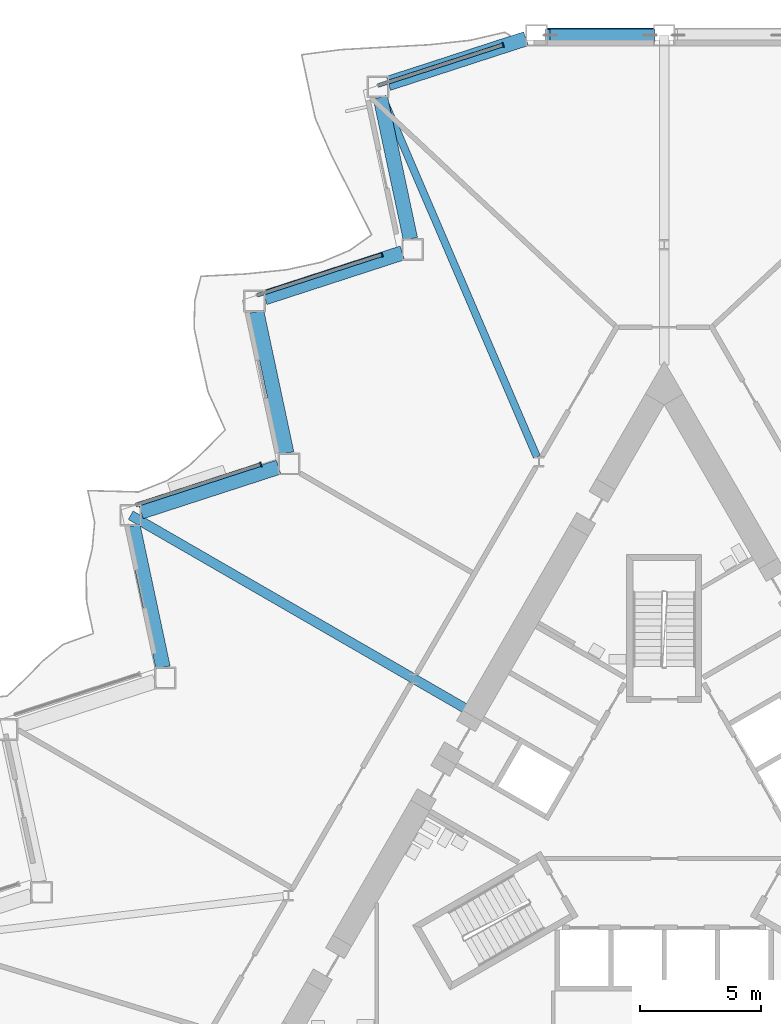
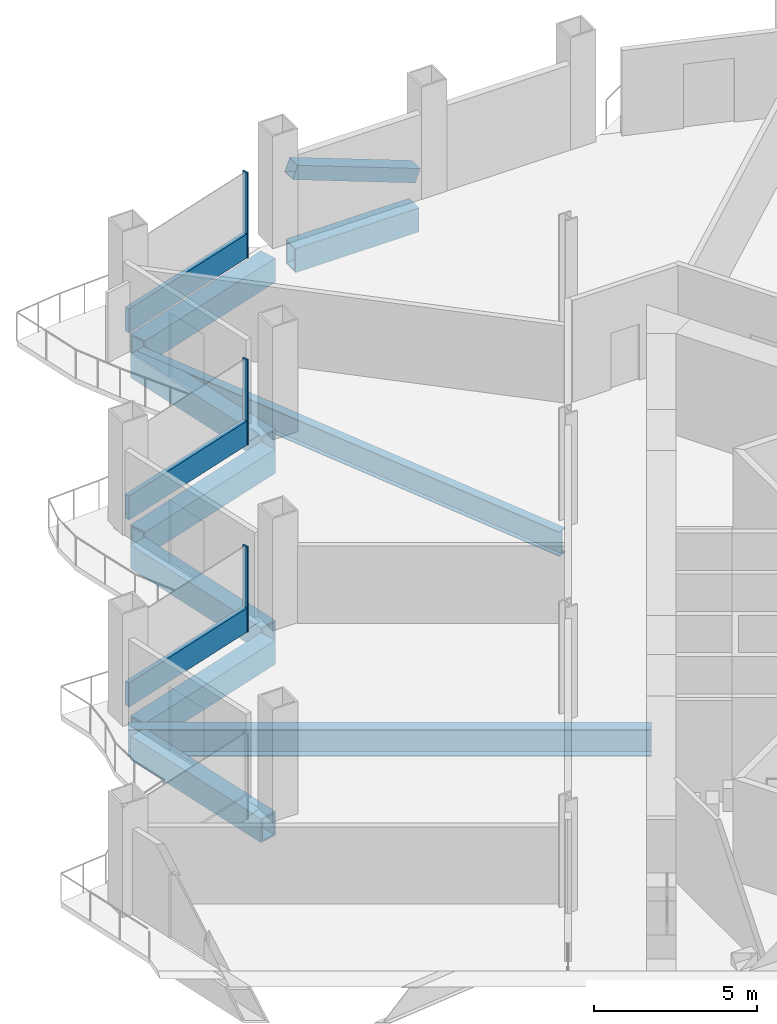
# One storey, part 7 of 21: 8 beams, 8 members, 3 elements without a shape of their own.
"""IFC4 building model written with IfcOpenShell, lengths in metres."""

from ifc_helpers import new_model, si_unit, direction, frame, origin, origin_2d, place, context, subcontext, project, spatial, rectangle, hollow_rectangle, i_section, extrude, material, layer, layer_set, material_profile, profile_set, type_object, element, aggregate, save


model = new_model("IFC4")

# Units and contexts
model_context = context("Model", 3, precision=1e-05, world=origin(), true_north=direction((0.0, 1.0)))
body_context = subcontext(model_context, "Body", "Model", "MODEL_VIEW")
ifc_project = project(units=[si_unit("LENGTHUNIT", "METRE"), si_unit("AREAUNIT", "SQUARE_METRE"), si_unit("VOLUMEUNIT", "CUBIC_METRE"), si_unit("PLANEANGLEUNIT", "RADIAN"), si_unit("MASSUNIT", "GRAM", prefix="KILO")], contexts=[model_context])

# Site, building, storey
site_placement = place(None, origin())
site = spatial("IfcSite", under=ifc_project, at=site_placement, CompositionType="ELEMENT")
building_placement = place(site_placement, origin())
building = spatial("IfcBuilding", under=site, at=building_placement, Name="Cormorant Prow Tower", CompositionType="ELEMENT")
storey_placement = place(building_placement, frame((0.0, 0.0, 99.60009765625)))
storey = spatial("IfcBuildingStorey", under=building, at=storey_placement, Name="L20", CompositionType="ELEMENT", Elevation=99.60009765625)

# Beams
ifc_material_1 = material(Name="Structural steel ASTM A572 Gr 50", Category="steel")
ifc_material_profile_1 = material_profile(ifc_material_1, hollow_rectangle(XDim=0.60009765625, YDim=0.89990234375, WallThickness=0.06005859375, at=origin_2d()), Name="Box 900x600x60")
ifc_profile_set_1 = profile_set([ifc_material_profile_1], Name="Structural steel ASTM A572 Gr 50")
beam_type_1 = type_object("IfcBeamType", Name="Belt truss top chord 900x600x60", PredefinedType="BEAM", material=ifc_profile_set_1)
beam_1_placement = place(storey_placement, frame((-0.449951171875, 32.487060546875, -0.85009765625), z_axis=(-1.0, 0.0, 0.0), x_axis=(0.0, -1.0, 0.0)))
element("IfcBeam", 1, at=beam_1_placement, inside=storey, type_object=beam_type_1, Name="Belt truss top chord TC2 N01-WNW00 L20", PredefinedType="BEAM", context=body_context, shape_type="SweptSolid", body=[
    extrude(hollow_rectangle(XDim=0.60009765625, YDim=0.89990234375, WallThickness=0.06005859375, at=origin_2d()), origin(), (0.0, 0.0, 1.0), 4.36962890625),
])
beam_2_placement = place(storey_placement, frame((-5.69775390625, 32.347900390625, -0.85009765625), z_axis=(-0.951055430656, -0.309020335608, 0.0), x_axis=(0.309020335608, -0.951055430656, 0.0)))
element("IfcBeam", 2, at=beam_2_placement, inside=storey, type_object=beam_type_1, Name="Belt truss top chord TC2 WNW00-WNW01 L20", PredefinedType="BEAM", context=body_context, shape_type="SweptSolid", body=[
    extrude(hollow_rectangle(XDim=0.60009765625, YDim=0.89990234375, WallThickness=0.06005859375, at=origin_2d()), origin(), (0.0, 0.0, 1.0), 5.96240234375),
])
beam_3_placement = place(storey_placement, frame((-11.702880859375, 29.926025390625, -0.85009765625), z_axis=(0.207920947907, -0.978145633033, 0.0), x_axis=(0.978145633033, 0.207920947907, 0.0)))
element("IfcBeam", 3, at=beam_3_placement, inside=storey, type_object=beam_type_1, Name="Belt truss top chord TC2 WNW01-WNW02 L20", PredefinedType="BEAM", context=body_context, shape_type="SweptSolid", body=[
    extrude(hollow_rectangle(XDim=0.60009765625, YDim=0.89990234375, WallThickness=0.06005859375, at=origin_2d()), origin(), (0.0, 0.0, 1.0), 5.962646484375),
])
beam_4_placement = place(storey_placement, frame((-10.797607421875, 23.5146484375, -0.85009765625), z_axis=(-0.95104730696, -0.309045336358, 0.0), x_axis=(0.309045336358, -0.95104730696, 0.0)))
element("IfcBeam", 4, at=beam_4_placement, inside=storey, type_object=beam_type_1, Name="Belt truss top chord TC2 WNW02-WNW03 L20", PredefinedType="BEAM", context=body_context, shape_type="SweptSolid", body=[
    extrude(hollow_rectangle(XDim=0.60009765625, YDim=0.89990234375, WallThickness=0.06005859375, at=origin_2d()), origin(), (0.0, 0.0, 1.0), 5.962890625),
])
for number, where, z_axis, x_axis, name in (
    (5, (-16.802734375, 21.0927734375, -0.85009765625), (0.207920947907, -0.978145633033, 0.0), (0.978145633033, 0.207920947907, 0.0), "Belt truss top chord TC2 WNW03-WNW04 L20"),
    (6, (-15.8974609375, 14.68115234375, -0.85009765625), (-0.951059340519, -0.309008302174, 0.0), (0.309008302174, -0.951059340519, 0.0), "Belt truss top chord TC2 WNW04-WNW05 L20"),
):
    element("IfcBeam", number, at=place(storey_placement, frame(where, z_axis=z_axis, x_axis=x_axis)), inside=storey, type_object=beam_type_1, Name=name, PredefinedType="BEAM", context=body_context, shape_type="SweptSolid", body=[
        extrude(hollow_rectangle(XDim=0.60009765625, YDim=0.89990234375, WallThickness=0.06005859375, at=origin_2d()), origin(), (0.0, 0.0, 1.0), 5.962646484375),
    ])
beam_5_placement = place(storey_placement, frame((-21.90283203125, 12.259521484375, -0.85009765625), z_axis=(0.207912620873, -0.978147403044, 0.0), x_axis=(0.978147403044, 0.207912620873, 0.0)))
element("IfcBeam", 7, at=beam_5_placement, inside=storey, type_object=beam_type_1, Name="Belt truss top chord TC2 WNW05-WNW06 L20", PredefinedType="BEAM", context=body_context, shape_type="SweptSolid", body=[
    extrude(hollow_rectangle(XDim=0.60009765625, YDim=0.89990234375, WallThickness=0.06005859375, at=origin_2d()), origin(), (0.0, 0.0, 1.0), 5.962890625),
])

# Member
ifc_material_2 = material(Name="Structural steel ASTM A500 Gr C", Category="steel")
ifc_material_profile_2 = material_profile(ifc_material_2, hollow_rectangle(XDim=0.508056640625, YDim=0.508056640625, WallThickness=0.014892578125, at=origin_2d()), Name="HSS20x20x5/8")
ifc_profile_set_2 = profile_set([ifc_material_profile_2], Name="Structural steel ASTM A500 Gr C")
member_type_1 = type_object("IfcMemberType", Name="Chamfer brace HSS20x20x5/8", PredefinedType="BRACE", material=ifc_profile_set_2)
member_1_placement = place(storey_placement, frame((-0.4677734375, 32.487060546875, 0.7763671875), z_axis=(-0.935564597435, 0.0, 0.3531556088), x_axis=(0.0, -1.0, 0.0)))
element("IfcMember", 8, at=member_1_placement, inside=storey, type_object=member_type_1, Name="Chamfer brace BR1 at N01 L20", PredefinedType="BRACE", context=body_context, shape_type="SweptSolid", body=[
    extrude(hollow_rectangle(XDim=0.508056640625, YDim=0.508056640625, WallThickness=0.014892578125, at=origin_2d()), origin(), (0.0, 0.0, 1.0), 4.632568359375),
])

# Curtain wall, member
ifc_material_3 = material(Name="Aluminium 6063-T6", Category="aluminium")
ifc_layer = layer(ifc_material_3, 0.199951171875)
ifc_layer_set = layer_set([ifc_layer], Name="Aluminium 6063-T6")
curtain_wall_type = type_object("IfcCurtainWallType", Name="Office unitised curtain wall 200", PredefinedType="NOTDEFINED", material=ifc_layer_set)
curtain_wall_1_placement = place(storey_placement, origin())
curtain_wall_1 = element("IfcCurtainWall", 9, at=curtain_wall_1_placement, inside=storey, type_object=curtain_wall_type, Name="Office curtain wall WNW00", PredefinedType="NOTDEFINED")
ifc_material_4 = material(Name="Aluminium 6063-T6", Category="aluminium")
ifc_material_profile_3 = material_profile(ifc_material_4, rectangle(XDim=0.199951171875, YDim=0.06005859375, at=origin_2d()), Name="Office mullion 60x200")
ifc_profile_set_3 = profile_set([ifc_material_profile_3], Name="Aluminium 6063-T6")
member_type_2 = type_object("IfcMemberType", Name="Office mullion 60x200", PredefinedType="MULLION", material=ifc_profile_set_3)
member_2_placement = place(storey_placement, frame((-6.645751953125, 32.090576171875, 0.0), z_axis=(0.0, 0.0, 1.0), x_axis=(0.309016933855, -0.951056535959, 0.0)))
member_2 = element("IfcMember", 10, at=member_2_placement, type_object=member_type_2, Name="Office mullion WNW00", PredefinedType="MULLION", context=body_context, shape_type="SweptSolid", body=[
    extrude(rectangle(XDim=0.199951171875, YDim=0.06005859375, at=origin_2d()), origin(), (0.0, 0.0, 1.0), 3.188720703125),
])

curtain_wall_2_placement = place(storey_placement, origin())
curtain_wall_2 = element("IfcCurtainWall", 11, at=curtain_wall_2_placement, inside=storey, type_object=curtain_wall_type, Name="Office curtain wall WNW02", PredefinedType="NOTDEFINED")
member_3_placement = place(storey_placement, frame((-11.638427734375, 23.443115234375, 0.0), z_axis=(0.0, 0.0, 1.0), x_axis=(0.309016933855, -0.951056535959, 0.0)))
member_3 = element("IfcMember", 12, at=member_3_placement, type_object=member_type_2, Name="Office mullion WNW02", PredefinedType="MULLION", context=body_context, shape_type="SweptSolid", body=[
    extrude(rectangle(XDim=0.199951171875, YDim=0.06005859375, at=origin_2d()), origin(), (0.0, 0.0, 1.0), 3.188720703125),
])

curtain_wall_3_placement = place(storey_placement, origin())
curtain_wall_3 = element("IfcCurtainWall", 13, at=curtain_wall_3_placement, inside=storey, type_object=curtain_wall_type, Name="Office curtain wall WNW04", PredefinedType="NOTDEFINED")
member_4_placement = place(storey_placement, frame((-16.631103515625, 14.79541015625, 0.0), z_axis=(0.0, 0.0, 1.0), x_axis=(0.309016933855, -0.951056535959, 0.0)))
member_4 = element("IfcMember", 14, at=member_4_placement, type_object=member_type_2, Name="Office mullion WNW04", PredefinedType="MULLION", context=body_context, shape_type="SweptSolid", body=[
    extrude(rectangle(XDim=0.199951171875, YDim=0.06005859375, at=origin_2d()), origin(), (0.0, 0.0, 1.0), 3.188720703125),
])

# Member
ifc_material_5 = material(Name="Terracotta", Category="masonry")
ifc_material_profile_4 = material_profile(ifc_material_5, rectangle(XDim=0.159912109375, YDim=0.89990234375, at=origin_2d()), Name="Office terracotta spandrel rail 160x900")
ifc_profile_set_4 = profile_set([ifc_material_profile_4], Name="Terracotta")
member_type_3 = type_object("IfcMemberType", Name="Office terracotta spandrel rail 160x900", PredefinedType="USERDEFINED", material=ifc_profile_set_4)
member_5_placement = place(storey_placement, frame((-6.674072265625, 32.081298828125, 0.449951171875), z_axis=(-0.951053718729, -0.309025604265, 0.0), x_axis=(0.309025604265, -0.951053718729, 0.0)))
member_5 = element("IfcMember", 15, at=member_5_placement, type_object=member_type_3, Name="Office spandrel rail WNW00", ObjectType="TRANSOM", PredefinedType="USERDEFINED", context=body_context, shape_type="SweptSolid", body=[
    extrude(rectangle(XDim=0.159912109375, YDim=0.89990234375, at=origin_2d()), origin(), (0.0, 0.0, 1.0), 5.386474609375),
])

aggregate(curtain_wall_1, [member_2, member_5])

member_6_placement = place(storey_placement, frame((-11.666748046875, 23.433837890625, 0.449951171875), z_axis=(-0.951053718729, -0.309025604265, 0.0), x_axis=(0.309025604265, -0.951053718729, 0.0)))
member_6 = element("IfcMember", 16, at=member_6_placement, type_object=member_type_3, Name="Office spandrel rail WNW02", ObjectType="TRANSOM", PredefinedType="USERDEFINED", context=body_context, shape_type="SweptSolid", body=[
    extrude(rectangle(XDim=0.159912109375, YDim=0.89990234375, at=origin_2d()), origin(), (0.0, 0.0, 1.0), 5.386474609375),
])

aggregate(curtain_wall_2, [member_3, member_6])

member_7_placement = place(storey_placement, frame((-16.659423828125, 14.7861328125, 0.449951171875), z_axis=(-0.951067039037, -0.30898460683, 0.0), x_axis=(0.30898460683, -0.951067039037, 0.0)))
member_7 = element("IfcMember", 17, at=member_7_placement, type_object=member_type_3, Name="Office spandrel rail WNW04", ObjectType="TRANSOM", PredefinedType="USERDEFINED", context=body_context, shape_type="SweptSolid", body=[
    extrude(rectangle(XDim=0.159912109375, YDim=0.89990234375, at=origin_2d()), origin(), (0.0, 0.0, 1.0), 5.386474609375),
])

aggregate(curtain_wall_3, [member_4, member_7])

ifc_material_6 = material(Name="Structural steel ASTM A992 Gr 50", Category="steel")
ifc_material_profile_5 = material_profile(ifc_material_6, i_section(OverallWidth=0.39990234375, OverallDepth=1.000244140625, WebThickness=0.01904296875, FlangeThickness=0.0361328125, at=origin_2d()), Name="W40x249")
ifc_profile_set_5 = profile_set([ifc_material_profile_5], Name="Structural steel ASTM A992 Gr 50")
member_type_4 = type_object("IfcMemberType", Name="Outrigger chord W40x249", PredefinedType="CHORD", material=ifc_profile_set_5)
member_8_placement = place(storey_placement, frame((-8.1201171875, 4.688232421875, -0.900146484375), z_axis=(-0.866031059742, 0.499990203466, 0.0), x_axis=(-0.499990203466, -0.866031059742, 0.0)))
element("IfcMember", 18, at=member_8_placement, inside=storey, type_object=member_type_4, Name="Outrigger top chord 2 L20", PredefinedType="CHORD", context=body_context, shape_type="SweptSolid", body=[
    extrude(i_section(OverallWidth=0.39990234375, OverallDepth=1.000244140625, WebThickness=0.01904296875, FlangeThickness=0.0361328125, at=origin_2d()), origin(), (0.0, 0.0, 1.0), 16.022705078125),
])

# Beam
ifc_material_7 = material(Name="Structural steel ASTM A992 Gr 50", Category="steel")
ifc_material_profile_6 = material_profile(ifc_material_7, i_section(OverallWidth=0.3046875, OverallDepth=0.914794921875, WebThickness=0.0166015625, FlangeThickness=0.02587890625, at=origin_2d()), Name="W36x160")
ifc_profile_set_6 = profile_set([ifc_material_profile_6], Name="Structural steel ASTM A992 Gr 50")
beam_type_2 = type_object("IfcBeamType", Name="Radial floor beam W36x160", PredefinedType="BEAM", material=ifc_profile_set_6)
beam_6_placement = place(storey_placement, frame((-5.25, 15.107666015625, -0.857421875), z_axis=(-0.394273140268, 0.918993302948, 0.0), x_axis=(-0.918993302948, -0.394273140268, 0.0)))
element("IfcBeam", 19, at=beam_6_placement, inside=storey, type_object=beam_type_2, Name="Radial floor beam FB1 2 L20", PredefinedType="BEAM", context=body_context, shape_type="SweptSolid", body=[
    extrude(i_section(OverallWidth=0.3046875, OverallDepth=0.914794921875, WebThickness=0.0166015625, FlangeThickness=0.02587890625, at=origin_2d()), origin(), (0.0, 0.0, 1.0), 16.153564453125),
])

save(model, "model.ifc")
